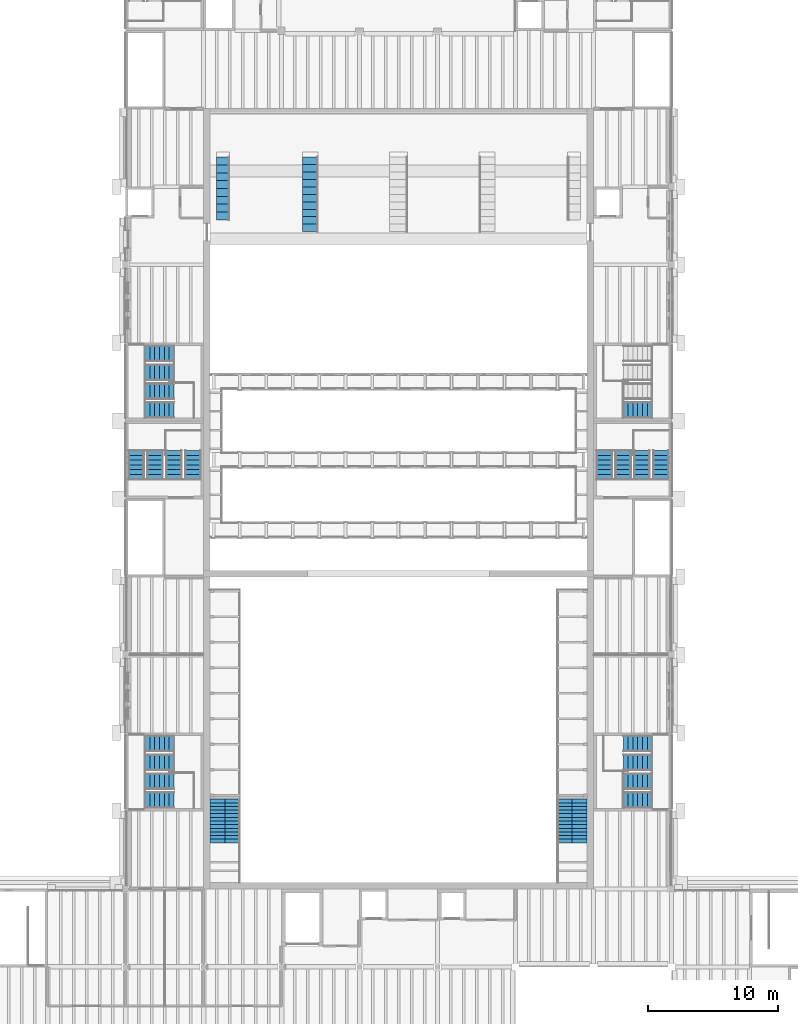
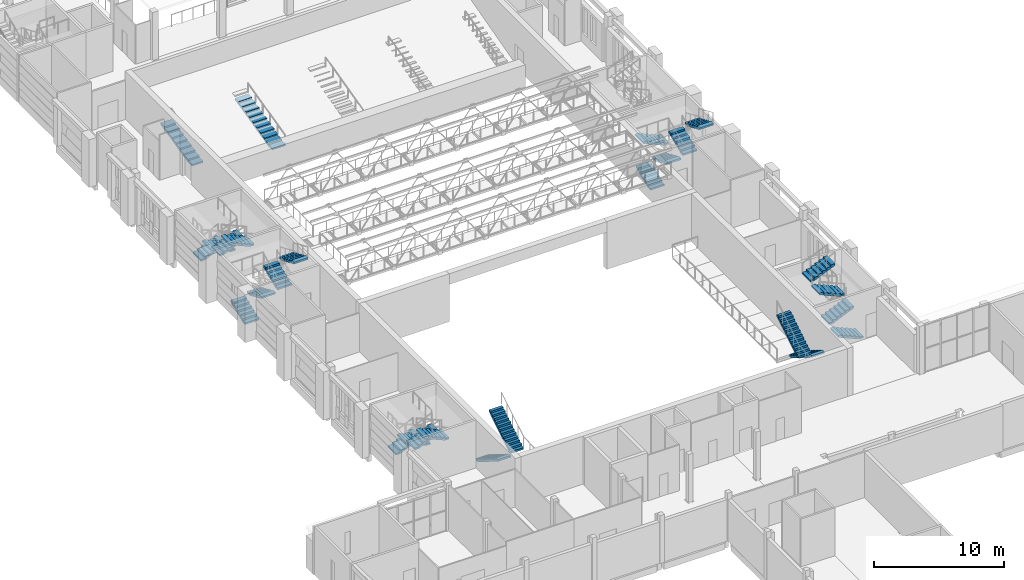
# One storey, part 36 of 70: 27 stair flights, 10 elements without a shape of their own.
"""IFC4 building model written with IfcOpenShell, lengths in metres."""

from ifc_helpers import new_model, si_unit, direction, frame, origin, place, context, subcontext, project, spatial, polyline, outline, extrude, material, type_object, element, aggregate, save


model = new_model("IFC4")

# Units and contexts
model_context = context("Model", 3, precision=1e-05, world=origin(), true_north=direction((0.0, 1.0)))
body_context = subcontext(model_context, "Body", "Model", "MODEL_VIEW")
ifc_project = project(units=[si_unit("LENGTHUNIT", "METRE"), si_unit("AREAUNIT", "SQUARE_METRE"), si_unit("VOLUMEUNIT", "CUBIC_METRE"), si_unit("PLANEANGLEUNIT", "RADIAN"), si_unit("MASSUNIT", "GRAM", prefix="KILO")], contexts=[model_context])

# Site, building, storey
site_placement = place(None, origin())
site = spatial("IfcSite", under=ifc_project, at=site_placement, CompositionType="ELEMENT")
building_placement = place(site_placement, origin())
building = spatial("IfcBuilding", under=site, at=building_placement, Name="Saffron Lane Theatres", CompositionType="ELEMENT")
storey_placement = place(building_placement, frame((0.0, 0.0, 12.0)))
storey = spatial("IfcBuildingStorey", under=building, at=storey_placement, Name="L02", CompositionType="ELEMENT", Elevation=12.0)

# Stair, stair flights
ifc_material_1 = material(Name="Steel Grade 350 stair", Category="steel")
stair_type_1 = type_object("IfcStairType", Name="ST-STEEL STAIR", PredefinedType="HALF_TURN_STAIR", material=ifc_material_1)
stair_1_placement = place(storey_placement, origin())
stair_1 = element("IfcStair", 1, at=stair_1_placement, inside=storey, type_object=stair_type_1, Name="STG2", PredefinedType="HALF_TURN_STAIR")
ifc_material_2 = material(Name="Steel Grade 350 stair", Category="steel")
stair_flight_type_1 = type_object("IfcStairFlightType", Name="ST-STEEL STAIR FLIGHT", PredefinedType="STRAIGHT", material=ifc_material_2)
stair_flight_1_placement = place(storey_placement, frame((19.074951171875, 36.89990234375, 0.0), z_axis=(0.0, 0.0, 1.0), x_axis=(0.0, -1.0, 0.0)))
stair_flight_1 = element("IfcStairFlight", 2, at=stair_flight_1_placement, type_object=stair_flight_type_1, Name="STG2 flight 1", NumberOfRisers=13, NumberOfTreads=12, PredefinedType="STRAIGHT", RiserHeight=0.173077, TreadLength=0.28, context=body_context, shape_type="SweptSolid", body=[
    extrude(outline(polyline([(0.0, 0.0), (0.0, 0.173095703125), (0.280029296875, 0.173095703125), (0.280029296875, 0.34619140625), (0.56005859375, 0.34619140625), (0.56005859375, 0.519287109375), (0.840087890625, 0.519287109375), (0.840087890625, 0.6923828125), (1.1201171875, 0.6923828125), (1.1201171875, 0.865478515625), (1.39990234375, 0.865478515625), (1.39990234375, 1.03857421875), (1.679931640625, 1.03857421875), (1.679931640625, 1.21142578125), (1.9599609375, 1.21142578125), (1.9599609375, 1.384521484375), (2.239990234375, 1.384521484375), (2.239990234375, 1.5576171875), (2.52001953125, 1.5576171875), (2.52001953125, 1.730712890625), (2.800048828125, 1.730712890625), (2.800048828125, 1.90380859375), (3.080078125, 1.90380859375), (3.080078125, 2.076904296875), (3.360107421875, 2.076904296875), (3.360107421875, 2.25), (3.360107421875, 1.900634765625), (0.28515625, 0.0), (0.0, 0.0)])), frame((0.0, 0.574951171875, 0.0), z_axis=(0.0, -1.0, 0.0), x_axis=(1.0, 0.0, 0.0)), (0.0, 0.0, 1.0), 1.14990234375),
])
stair_flight_2_placement = place(storey_placement, frame((20.22509765625, 33.5400390625, 2.25), z_axis=(0.0, 0.0, 1.0), x_axis=(0.0, 1.0, 0.0)))
stair_flight_2 = element("IfcStairFlight", 3, at=stair_flight_2_placement, type_object=stair_flight_type_1, Name="STG2 flight 2", NumberOfRisers=13, NumberOfTreads=12, PredefinedType="STRAIGHT", RiserHeight=0.173077, TreadLength=0.28, context=body_context, shape_type="SweptSolid", body=[
    extrude(outline(polyline([(0.0, 0.0), (0.0, 0.173095703125), (0.280029296875, 0.173095703125), (0.280029296875, 0.34619140625), (0.56005859375, 0.34619140625), (0.56005859375, 0.519287109375), (0.840087890625, 0.519287109375), (0.840087890625, 0.6923828125), (1.1201171875, 0.6923828125), (1.1201171875, 0.865478515625), (1.39990234375, 0.865478515625), (1.39990234375, 1.03857421875), (1.679931640625, 1.03857421875), (1.679931640625, 1.21142578125), (1.9599609375, 1.21142578125), (1.9599609375, 1.384521484375), (2.239990234375, 1.384521484375), (2.239990234375, 1.5576171875), (2.52001953125, 1.5576171875), (2.52001953125, 1.730712890625), (2.800048828125, 1.730712890625), (2.800048828125, 1.90380859375), (3.080078125, 1.90380859375), (3.080078125, 2.076904296875), (3.360107421875, 2.076904296875), (3.360107421875, 2.25), (3.360107421875, 1.900634765625), (0.28515625, 0.0), (0.0, 0.0)])), frame((0.0, 0.574951171875, 0.0), z_axis=(0.0, -1.0, 0.0), x_axis=(1.0, 0.0, 0.0)), (0.0, 0.0, 1.0), 1.14990234375),
])
aggregate(stair_1, [stair_flight_1, stair_flight_2])

stair_2_placement = place(storey_placement, origin())
stair_2 = element("IfcStair", 4, at=stair_2_placement, inside=storey, type_object=stair_type_1, Name="STG5", PredefinedType="HALF_TURN_STAIR")
stair_flight_3_placement = place(storey_placement, frame((46.925048828125, 36.89990234375, 0.0), z_axis=(0.0, 0.0, 1.0), x_axis=(0.0, -1.0, 0.0)))
stair_flight_3 = element("IfcStairFlight", 5, at=stair_flight_3_placement, type_object=stair_flight_type_1, Name="STG5 flight 1", NumberOfRisers=13, NumberOfTreads=12, PredefinedType="STRAIGHT", RiserHeight=0.173077, TreadLength=0.28, context=body_context, shape_type="SweptSolid", body=[
    extrude(outline(polyline([(0.0, 0.0), (0.0, 0.173095703125), (0.280029296875, 0.173095703125), (0.280029296875, 0.34619140625), (0.56005859375, 0.34619140625), (0.56005859375, 0.519287109375), (0.840087890625, 0.519287109375), (0.840087890625, 0.6923828125), (1.1201171875, 0.6923828125), (1.1201171875, 0.865478515625), (1.39990234375, 0.865478515625), (1.39990234375, 1.03857421875), (1.679931640625, 1.03857421875), (1.679931640625, 1.21142578125), (1.9599609375, 1.21142578125), (1.9599609375, 1.384521484375), (2.239990234375, 1.384521484375), (2.239990234375, 1.5576171875), (2.52001953125, 1.5576171875), (2.52001953125, 1.730712890625), (2.800048828125, 1.730712890625), (2.800048828125, 1.90380859375), (3.080078125, 1.90380859375), (3.080078125, 2.076904296875), (3.360107421875, 2.076904296875), (3.360107421875, 2.25), (3.360107421875, 1.900634765625), (0.28515625, 0.0), (0.0, 0.0)])), frame((0.0, 0.574951171875, 0.0), z_axis=(0.0, -1.0, 0.0), x_axis=(1.0, 0.0, 0.0)), (0.0, 0.0, 1.0), 1.14990234375),
])
stair_flight_4_placement = place(storey_placement, frame((45.77490234375, 33.5400390625, 2.25), z_axis=(0.0, 0.0, 1.0), x_axis=(0.0, 1.0, 0.0)))
stair_flight_4 = element("IfcStairFlight", 6, at=stair_flight_4_placement, type_object=stair_flight_type_1, Name="STG5 flight 2", NumberOfRisers=13, NumberOfTreads=12, PredefinedType="STRAIGHT", RiserHeight=0.173077, TreadLength=0.28, context=body_context, shape_type="SweptSolid", body=[
    extrude(outline(polyline([(0.0, 0.0), (0.0, 0.173095703125), (0.280029296875, 0.173095703125), (0.280029296875, 0.34619140625), (0.56005859375, 0.34619140625), (0.56005859375, 0.519287109375), (0.840087890625, 0.519287109375), (0.840087890625, 0.6923828125), (1.1201171875, 0.6923828125), (1.1201171875, 0.865478515625), (1.39990234375, 0.865478515625), (1.39990234375, 1.03857421875), (1.679931640625, 1.03857421875), (1.679931640625, 1.21142578125), (1.9599609375, 1.21142578125), (1.9599609375, 1.384521484375), (2.239990234375, 1.384521484375), (2.239990234375, 1.5576171875), (2.52001953125, 1.5576171875), (2.52001953125, 1.730712890625), (2.800048828125, 1.730712890625), (2.800048828125, 1.90380859375), (3.080078125, 1.90380859375), (3.080078125, 2.076904296875), (3.360107421875, 2.076904296875), (3.360107421875, 2.25), (3.360107421875, 1.900634765625), (0.28515625, 0.0), (0.0, 0.0)])), frame((0.0, 0.574951171875, 0.0), z_axis=(0.0, -1.0, 0.0), x_axis=(1.0, 0.0, 0.0)), (0.0, 0.0, 1.0), 1.14990234375),
])
aggregate(stair_2, [stair_flight_3, stair_flight_4])

# Stair, stair flight
ifc_material_3 = material(Name="Concrete N40 (40 MPa)", Category="concrete")
stair_type_2 = type_object("IfcStairType", Name="VC-STAIR AISLE", PredefinedType="STRAIGHT_RUN_STAIR", material=ifc_material_3)
stair_3_placement = place(storey_placement, origin())
stair_3 = element("IfcStair", 7, at=stair_3_placement, inside=storey, type_object=stair_type_2, Name="Dress Circle aisle 1", PredefinedType="STRAIGHT_RUN_STAIR")
ifc_material_4 = material(Name="Concrete N40 (40 MPa)", Category="concrete")
stair_flight_type_2 = type_object("IfcStairFlightType", Name="VC-FLIGHT 1000", PredefinedType="STRAIGHT", material=ifc_material_4)
stair_flight_5_placement = place(storey_placement, frame((19.5, 81.449951171875, 0.3916015625), z_axis=(0.0, 0.0, 1.0), x_axis=(0.0, 1.0, 0.0)))
stair_flight_5 = element("IfcStairFlight", 8, at=stair_flight_5_placement, type_object=stair_flight_type_2, Name="Dress Circle aisle 1 flight", NumberOfRisers=9, NumberOfTreads=8, PredefinedType="STRAIGHT", RiserHeight=0.14484, TreadLength=0.6035, context=body_context, shape_type="SweptSolid", body=[
    extrude(outline(polyline([(0.0, 0.0), (0.0, 0.144775390625), (0.603515625, 0.144775390625), (0.603515625, 0.289794921875), (1.20703125, 0.289794921875), (1.20703125, 0.4345703125), (1.810546875, 0.4345703125), (1.810546875, 0.579345703125), (2.4140625, 0.579345703125), (2.4140625, 0.72412109375), (3.017578125, 0.72412109375), (3.017578125, 0.869140625), (3.62109375, 0.869140625), (3.62109375, 1.013916015625), (4.224609375, 1.013916015625), (4.224609375, 1.15869140625), (4.827880859375, 1.15869140625), (4.827880859375, 1.303466796875), (4.827880859375, 1.004638671875), (0.642333984375, 0.0), (0.0, 0.0)])), frame((0.0, 0.5, 0.0), z_axis=(0.0, -1.0, 0.0), x_axis=(1.0, 0.0, 0.0)), (0.0, 0.0, 1.0), 1.0),
])
aggregate(stair_3, [stair_flight_5])

stair_4_placement = place(storey_placement, origin())
stair_4 = element("IfcStair", 9, at=stair_4_placement, inside=storey, type_object=stair_type_2, Name="Dress Circle aisle 2", PredefinedType="STRAIGHT_RUN_STAIR")
ifc_material_5 = material(Name="Concrete N40 (40 MPa)", Category="concrete")
stair_flight_type_3 = type_object("IfcStairFlightType", Name="VC-FLIGHT 1200", PredefinedType="STRAIGHT", material=ifc_material_5)
stair_flight_6_placement = place(storey_placement, frame((26.199951171875, 80.550048828125, 0.1484375), z_axis=(0.0, 0.0, 1.0), x_axis=(0.0, 1.0, 0.0)))
stair_flight_6 = element("IfcStairFlight", 10, at=stair_flight_6_placement, type_object=stair_flight_type_3, Name="Dress Circle aisle 2 flight", NumberOfRisers=11, NumberOfTreads=10, PredefinedType="STRAIGHT", RiserHeight=0.140596364, TreadLength=0.5728, context=body_context, shape_type="SweptSolid", body=[
    extrude(outline(polyline([(0.0, 0.0), (0.0, 0.140625), (0.57275390625, 0.140625), (0.57275390625, 0.28125), (1.1455078125, 0.28125), (1.1455078125, 0.421875), (1.718505859375, 0.421875), (1.718505859375, 0.5625), (2.291259765625, 0.5625), (2.291259765625, 0.702880859375), (2.864013671875, 0.702880859375), (2.864013671875, 0.843505859375), (3.436767578125, 0.843505859375), (3.436767578125, 0.984130859375), (4.009521484375, 0.984130859375), (4.009521484375, 1.124755859375), (4.58251953125, 1.124755859375), (4.58251953125, 1.265380859375), (5.1552734375, 1.265380859375), (5.1552734375, 1.406005859375), (5.72802734375, 1.406005859375), (5.72802734375, 1.546630859375), (5.72802734375, 1.251708984375), (0.62890625, 0.0), (0.0, 0.0)])), frame((0.0, 0.60009765625, 0.0), z_axis=(0.0, -1.0, 0.0), x_axis=(1.0, 0.0, 0.0)), (0.0, 0.0, 1.0), 1.199951171875),
])
aggregate(stair_4, [stair_flight_6])

# Stair, stair flights
ifc_material_6 = material(Name="Concrete N40 (40 MPa)", Category="concrete")
stair_type_3 = type_object("IfcStairType", Name="VC-STAIR EXIT", PredefinedType="TWO_STRAIGHT_RUN_STAIR", material=ifc_material_6)
stair_5_placement = place(storey_placement, origin())
stair_5 = element("IfcStair", 11, at=stair_5_placement, inside=storey, type_object=stair_type_3, Name="Auditorium West Rear Stair L02 to L03", PredefinedType="TWO_STRAIGHT_RUN_STAIR")
ifc_material_7 = material(Name="Concrete N40 (40 MPa)", Category="concrete")
stair_flight_type_4 = type_object("IfcStairFlightType", Name="VC-FLIGHT 1250", PredefinedType="STRAIGHT", material=ifc_material_7)
stair_flight_7_placement = place(storey_placement, frame((13.5, 71.175048828125, 0.0), z_axis=(0.0, 0.0, 1.0), x_axis=(1.0, 0.0, 0.0)))
stair_flight_7 = element("IfcStairFlight", 12, at=stair_flight_7_placement, type_object=stair_flight_type_4, Name="Auditorium West Rear Stair flight 3.1", NumberOfRisers=7, NumberOfTreads=6, PredefinedType="STRAIGHT", RiserHeight=0.160714286, TreadLength=0.37, context=body_context, shape_type="SweptSolid", body=[
    extrude(outline(polyline([(0.0, 0.0), (0.0, 0.16064453125), (0.3701171875, 0.16064453125), (0.3701171875, 0.321533203125), (0.739990234375, 0.321533203125), (0.739990234375, 0.482177734375), (1.110107421875, 0.482177734375), (1.110107421875, 0.642822265625), (1.47998046875, 0.642822265625), (1.47998046875, 0.803466796875), (1.85009765625, 0.803466796875), (1.85009765625, 0.96435546875), (2.219970703125, 0.96435546875), (2.219970703125, 1.125), (2.219970703125, 0.80078125), (0.376220703125, 0.0), (0.0, 0.0)])), frame((0.0, 0.625, 0.0), z_axis=(0.0, -1.0, 0.0), x_axis=(1.0, 0.0, 0.0)), (0.0, 0.0, 1.0), 1.25),
])
stair_flight_8_placement = place(storey_placement, frame((15.719970703125, 69.72509765625, 1.125), z_axis=(0.0, 0.0, 1.0), x_axis=(-1.0, 0.0, 0.0)))
stair_flight_8 = element("IfcStairFlight", 13, at=stair_flight_8_placement, type_object=stair_flight_type_4, Name="Auditorium West Rear Stair flight 3.2", NumberOfRisers=7, NumberOfTreads=6, PredefinedType="STRAIGHT", RiserHeight=0.160714286, TreadLength=0.37, context=body_context, shape_type="SweptSolid", body=[
    extrude(outline(polyline([(0.0, 0.0), (0.0, 0.16064453125), (0.3701171875, 0.16064453125), (0.3701171875, 0.321533203125), (0.739990234375, 0.321533203125), (0.739990234375, 0.482177734375), (1.110107421875, 0.482177734375), (1.110107421875, 0.642822265625), (1.47998046875, 0.642822265625), (1.47998046875, 0.803466796875), (1.85009765625, 0.803466796875), (1.85009765625, 0.96435546875), (2.219970703125, 0.96435546875), (2.219970703125, 1.125), (2.219970703125, 0.80078125), (0.376220703125, 0.0), (0.0, 0.0)])), frame((0.0, 0.625, 0.0), z_axis=(0.0, -1.0, 0.0), x_axis=(1.0, 0.0, 0.0)), (0.0, 0.0, 1.0), 1.25),
])
stair_flight_9_placement = place(storey_placement, frame((13.5, 68.27490234375, 2.25), z_axis=(0.0, 0.0, 1.0), x_axis=(1.0, 0.0, 0.0)))
stair_flight_9 = element("IfcStairFlight", 14, at=stair_flight_9_placement, type_object=stair_flight_type_4, Name="Auditorium West Rear Stair flight 3.3", NumberOfRisers=7, NumberOfTreads=6, PredefinedType="STRAIGHT", RiserHeight=0.160714286, TreadLength=0.37, context=body_context, shape_type="SweptSolid", body=[
    extrude(outline(polyline([(0.0, 0.0), (0.0, 0.16064453125), (0.3701171875, 0.16064453125), (0.3701171875, 0.321533203125), (0.739990234375, 0.321533203125), (0.739990234375, 0.482177734375), (1.110107421875, 0.482177734375), (1.110107421875, 0.642822265625), (1.47998046875, 0.642822265625), (1.47998046875, 0.803466796875), (1.85009765625, 0.803466796875), (1.85009765625, 0.96435546875), (2.219970703125, 0.96435546875), (2.219970703125, 1.125), (2.219970703125, 0.80078125), (0.376220703125, 0.0), (0.0, 0.0)])), frame((0.0, 0.625, 0.0), z_axis=(0.0, -1.0, 0.0), x_axis=(1.0, 0.0, 0.0)), (0.0, 0.0, 1.0), 1.25),
])
stair_flight_10_placement = place(storey_placement, frame((15.719970703125, 66.824951171875, 3.375), z_axis=(0.0, 0.0, 1.0), x_axis=(-1.0, 0.0, 0.0)))
stair_flight_10 = element("IfcStairFlight", 15, at=stair_flight_10_placement, type_object=stair_flight_type_4, Name="Auditorium West Rear Stair flight 3.4", NumberOfRisers=7, NumberOfTreads=6, PredefinedType="STRAIGHT", RiserHeight=0.160714286, TreadLength=0.37, context=body_context, shape_type="SweptSolid", body=[
    extrude(outline(polyline([(0.0, 0.0), (0.0, 0.16064453125), (0.3701171875, 0.16064453125), (0.3701171875, 0.321533203125), (0.739990234375, 0.321533203125), (0.739990234375, 0.482177734375), (1.110107421875, 0.482177734375), (1.110107421875, 0.642822265625), (1.47998046875, 0.642822265625), (1.47998046875, 0.803466796875), (1.85009765625, 0.803466796875), (1.85009765625, 0.96435546875), (2.219970703125, 0.96435546875), (2.219970703125, 1.125), (2.219970703125, 0.80078125), (0.376220703125, 0.0), (0.0, 0.0)])), frame((0.0, 0.625, 0.0), z_axis=(0.0, -1.0, 0.0), x_axis=(1.0, 0.0, 0.0)), (0.0, 0.0, 1.0), 1.25),
])
aggregate(stair_5, [stair_flight_7, stair_flight_8, stair_flight_9, stair_flight_10])

# Stair, stair flight
stair_6_placement = place(storey_placement, origin())
stair_6 = element("IfcStair", 16, at=stair_6_placement, inside=storey, type_object=stair_type_3, Name="Auditorium East Rear Stair L02 to L03", PredefinedType="TWO_STRAIGHT_RUN_STAIR")
stair_flight_11_placement = place(storey_placement, frame((52.5, 66.824951171875, 0.0), z_axis=(0.0, 0.0, 1.0), x_axis=(-1.0, 0.0, 0.0)))
stair_flight_11 = element("IfcStairFlight", 17, at=stair_flight_11_placement, type_object=stair_flight_type_4, Name="Auditorium East Rear Stair flight 3.1", NumberOfRisers=7, NumberOfTreads=6, PredefinedType="STRAIGHT", RiserHeight=0.160714286, TreadLength=0.37, context=body_context, shape_type="SweptSolid", body=[
    extrude(outline(polyline([(0.0, 0.0), (0.0, 0.16064453125), (0.3701171875, 0.16064453125), (0.3701171875, 0.321533203125), (0.739990234375, 0.321533203125), (0.739990234375, 0.482177734375), (1.110107421875, 0.482177734375), (1.110107421875, 0.642822265625), (1.47998046875, 0.642822265625), (1.47998046875, 0.803466796875), (1.85009765625, 0.803466796875), (1.85009765625, 0.96435546875), (2.219970703125, 0.96435546875), (2.219970703125, 1.125), (2.219970703125, 0.80078125), (0.376220703125, 0.0), (0.0, 0.0)])), frame((0.0, 0.625, 0.0), z_axis=(0.0, -1.0, 0.0), x_axis=(1.0, 0.0, 0.0)), (0.0, 0.0, 1.0), 1.25),
])
aggregate(stair_6, [stair_flight_11])

# Stair, stair flights
stair_7_placement = place(storey_placement, origin())
stair_7 = element("IfcStair", 18, at=stair_7_placement, inside=storey, type_object=stair_type_3, Name="Auditorium West Front Stair L02 to L03", PredefinedType="TWO_STRAIGHT_RUN_STAIR")
stair_flight_12_placement = place(storey_placement, frame((12.824951171875, 61.5, 0.0), z_axis=(0.0, 0.0, 1.0), x_axis=(0.0, 1.0, 0.0)))
stair_flight_12 = element("IfcStairFlight", 19, at=stair_flight_12_placement, type_object=stair_flight_type_4, Name="Auditorium West Front Stair flight 3.1", NumberOfRisers=7, NumberOfTreads=6, PredefinedType="STRAIGHT", RiserHeight=0.160714286, TreadLength=0.37, context=body_context, shape_type="SweptSolid", body=[
    extrude(outline(polyline([(0.0, 0.0), (0.0, 0.16064453125), (0.3701171875, 0.16064453125), (0.3701171875, 0.321533203125), (0.739990234375, 0.321533203125), (0.739990234375, 0.482177734375), (1.110107421875, 0.482177734375), (1.110107421875, 0.642822265625), (1.47998046875, 0.642822265625), (1.47998046875, 0.803466796875), (1.85009765625, 0.803466796875), (1.85009765625, 0.96435546875), (2.219970703125, 0.96435546875), (2.219970703125, 1.125), (2.219970703125, 0.80078125), (0.376220703125, 0.0), (0.0, 0.0)])), frame((0.0, 0.625, 0.0), z_axis=(0.0, -1.0, 0.0), x_axis=(1.0, 0.0, 0.0)), (0.0, 0.0, 1.0), 1.25),
])
stair_flight_13_placement = place(storey_placement, frame((14.27490234375, 63.719970703125, 1.125), z_axis=(0.0, 0.0, 1.0), x_axis=(0.0, -1.0, 0.0)))
stair_flight_13 = element("IfcStairFlight", 20, at=stair_flight_13_placement, type_object=stair_flight_type_4, Name="Auditorium West Front Stair flight 3.2", NumberOfRisers=7, NumberOfTreads=6, PredefinedType="STRAIGHT", RiserHeight=0.160714286, TreadLength=0.37, context=body_context, shape_type="SweptSolid", body=[
    extrude(outline(polyline([(0.0, 0.0), (0.0, 0.16064453125), (0.3701171875, 0.16064453125), (0.3701171875, 0.321533203125), (0.739990234375, 0.321533203125), (0.739990234375, 0.482177734375), (1.110107421875, 0.482177734375), (1.110107421875, 0.642822265625), (1.47998046875, 0.642822265625), (1.47998046875, 0.803466796875), (1.85009765625, 0.803466796875), (1.85009765625, 0.96435546875), (2.219970703125, 0.96435546875), (2.219970703125, 1.125), (2.219970703125, 0.80078125), (0.376220703125, 0.0), (0.0, 0.0)])), frame((0.0, 0.625, 0.0), z_axis=(0.0, -1.0, 0.0), x_axis=(1.0, 0.0, 0.0)), (0.0, 0.0, 1.0), 1.25),
])
stair_flight_14_placement = place(storey_placement, frame((15.72509765625, 61.5, 2.25), z_axis=(0.0, 0.0, 1.0), x_axis=(0.0, 1.0, 0.0)))
stair_flight_14 = element("IfcStairFlight", 21, at=stair_flight_14_placement, type_object=stair_flight_type_4, Name="Auditorium West Front Stair flight 3.3", NumberOfRisers=7, NumberOfTreads=6, PredefinedType="STRAIGHT", RiserHeight=0.160714286, TreadLength=0.37, context=body_context, shape_type="SweptSolid", body=[
    extrude(outline(polyline([(0.0, 0.0), (0.0, 0.16064453125), (0.3701171875, 0.16064453125), (0.3701171875, 0.321533203125), (0.739990234375, 0.321533203125), (0.739990234375, 0.482177734375), (1.110107421875, 0.482177734375), (1.110107421875, 0.642822265625), (1.47998046875, 0.642822265625), (1.47998046875, 0.803466796875), (1.85009765625, 0.803466796875), (1.85009765625, 0.96435546875), (2.219970703125, 0.96435546875), (2.219970703125, 1.125), (2.219970703125, 0.80078125), (0.376220703125, 0.0), (0.0, 0.0)])), frame((0.0, 0.625, 0.0), z_axis=(0.0, -1.0, 0.0), x_axis=(1.0, 0.0, 0.0)), (0.0, 0.0, 1.0), 1.25),
])
stair_flight_15_placement = place(storey_placement, frame((17.175048828125, 63.719970703125, 3.375), z_axis=(0.0, 0.0, 1.0), x_axis=(0.0, -1.0, 0.0)))
stair_flight_15 = element("IfcStairFlight", 22, at=stair_flight_15_placement, type_object=stair_flight_type_4, Name="Auditorium West Front Stair flight 3.4", NumberOfRisers=7, NumberOfTreads=6, PredefinedType="STRAIGHT", RiserHeight=0.160714286, TreadLength=0.37, context=body_context, shape_type="SweptSolid", body=[
    extrude(outline(polyline([(0.0, 0.0), (0.0, 0.16064453125), (0.3701171875, 0.16064453125), (0.3701171875, 0.321533203125), (0.739990234375, 0.321533203125), (0.739990234375, 0.482177734375), (1.110107421875, 0.482177734375), (1.110107421875, 0.642822265625), (1.47998046875, 0.642822265625), (1.47998046875, 0.803466796875), (1.85009765625, 0.803466796875), (1.85009765625, 0.96435546875), (2.219970703125, 0.96435546875), (2.219970703125, 1.125), (2.219970703125, 0.80078125), (0.376220703125, 0.0), (0.0, 0.0)])), frame((0.0, 0.625, 0.0), z_axis=(0.0, -1.0, 0.0), x_axis=(1.0, 0.0, 0.0)), (0.0, 0.0, 1.0), 1.25),
])
aggregate(stair_7, [stair_flight_12, stair_flight_13, stair_flight_14, stair_flight_15])

stair_8_placement = place(storey_placement, origin())
stair_8 = element("IfcStair", 23, at=stair_8_placement, inside=storey, type_object=stair_type_3, Name="Auditorium East Front Stair L02 to L03", PredefinedType="TWO_STRAIGHT_RUN_STAIR")
stair_flight_16_placement = place(storey_placement, frame((48.824951171875, 61.5, 0.0), z_axis=(0.0, 0.0, 1.0), x_axis=(0.0, 1.0, 0.0)))
stair_flight_16 = element("IfcStairFlight", 24, at=stair_flight_16_placement, type_object=stair_flight_type_4, Name="Auditorium East Front Stair flight 3.1", NumberOfRisers=7, NumberOfTreads=6, PredefinedType="STRAIGHT", RiserHeight=0.160714286, TreadLength=0.37, context=body_context, shape_type="SweptSolid", body=[
    extrude(outline(polyline([(0.0, 0.0), (0.0, 0.16064453125), (0.3701171875, 0.16064453125), (0.3701171875, 0.321533203125), (0.739990234375, 0.321533203125), (0.739990234375, 0.482177734375), (1.110107421875, 0.482177734375), (1.110107421875, 0.642822265625), (1.47998046875, 0.642822265625), (1.47998046875, 0.803466796875), (1.85009765625, 0.803466796875), (1.85009765625, 0.96435546875), (2.219970703125, 0.96435546875), (2.219970703125, 1.125), (2.219970703125, 0.80078125), (0.376220703125, 0.0), (0.0, 0.0)])), frame((0.0, 0.625, 0.0), z_axis=(0.0, -1.0, 0.0), x_axis=(1.0, 0.0, 0.0)), (0.0, 0.0, 1.0), 1.25),
])
stair_flight_17_placement = place(storey_placement, frame((50.27490234375, 63.719970703125, 1.125), z_axis=(0.0, 0.0, 1.0), x_axis=(0.0, -1.0, 0.0)))
stair_flight_17 = element("IfcStairFlight", 25, at=stair_flight_17_placement, type_object=stair_flight_type_4, Name="Auditorium East Front Stair flight 3.2", NumberOfRisers=7, NumberOfTreads=6, PredefinedType="STRAIGHT", RiserHeight=0.160714286, TreadLength=0.37, context=body_context, shape_type="SweptSolid", body=[
    extrude(outline(polyline([(0.0, 0.0), (0.0, 0.16064453125), (0.3701171875, 0.16064453125), (0.3701171875, 0.321533203125), (0.739990234375, 0.321533203125), (0.739990234375, 0.482177734375), (1.110107421875, 0.482177734375), (1.110107421875, 0.642822265625), (1.47998046875, 0.642822265625), (1.47998046875, 0.803466796875), (1.85009765625, 0.803466796875), (1.85009765625, 0.96435546875), (2.219970703125, 0.96435546875), (2.219970703125, 1.125), (2.219970703125, 0.80078125), (0.376220703125, 0.0), (0.0, 0.0)])), frame((0.0, 0.625, 0.0), z_axis=(0.0, -1.0, 0.0), x_axis=(1.0, 0.0, 0.0)), (0.0, 0.0, 1.0), 1.25),
])
stair_flight_18_placement = place(storey_placement, frame((51.72509765625, 61.5, 2.25), z_axis=(0.0, 0.0, 1.0), x_axis=(0.0, 1.0, 0.0)))
stair_flight_18 = element("IfcStairFlight", 26, at=stair_flight_18_placement, type_object=stair_flight_type_4, Name="Auditorium East Front Stair flight 3.3", NumberOfRisers=7, NumberOfTreads=6, PredefinedType="STRAIGHT", RiserHeight=0.160714286, TreadLength=0.37, context=body_context, shape_type="SweptSolid", body=[
    extrude(outline(polyline([(0.0, 0.0), (0.0, 0.16064453125), (0.3701171875, 0.16064453125), (0.3701171875, 0.321533203125), (0.739990234375, 0.321533203125), (0.739990234375, 0.482177734375), (1.110107421875, 0.482177734375), (1.110107421875, 0.642822265625), (1.47998046875, 0.642822265625), (1.47998046875, 0.803466796875), (1.85009765625, 0.803466796875), (1.85009765625, 0.96435546875), (2.219970703125, 0.96435546875), (2.219970703125, 1.125), (2.219970703125, 0.80078125), (0.376220703125, 0.0), (0.0, 0.0)])), frame((0.0, 0.625, 0.0), z_axis=(0.0, -1.0, 0.0), x_axis=(1.0, 0.0, 0.0)), (0.0, 0.0, 1.0), 1.25),
])
stair_flight_19_placement = place(storey_placement, frame((53.175048828125, 63.719970703125, 3.375), z_axis=(0.0, 0.0, 1.0), x_axis=(0.0, -1.0, 0.0)))
stair_flight_19 = element("IfcStairFlight", 27, at=stair_flight_19_placement, type_object=stair_flight_type_4, Name="Auditorium East Front Stair flight 3.4", NumberOfRisers=7, NumberOfTreads=6, PredefinedType="STRAIGHT", RiserHeight=0.160714286, TreadLength=0.37, context=body_context, shape_type="SweptSolid", body=[
    extrude(outline(polyline([(0.0, 0.0), (0.0, 0.16064453125), (0.3701171875, 0.16064453125), (0.3701171875, 0.321533203125), (0.739990234375, 0.321533203125), (0.739990234375, 0.482177734375), (1.110107421875, 0.482177734375), (1.110107421875, 0.642822265625), (1.47998046875, 0.642822265625), (1.47998046875, 0.803466796875), (1.85009765625, 0.803466796875), (1.85009765625, 0.96435546875), (2.219970703125, 0.96435546875), (2.219970703125, 1.125), (2.219970703125, 0.80078125), (0.376220703125, 0.0), (0.0, 0.0)])), frame((0.0, 0.625, 0.0), z_axis=(0.0, -1.0, 0.0), x_axis=(1.0, 0.0, 0.0)), (0.0, 0.0, 1.0), 1.25),
])
aggregate(stair_8, [stair_flight_16, stair_flight_17, stair_flight_18, stair_flight_19])

stair_9_placement = place(storey_placement, origin())
stair_9 = element("IfcStair", 28, at=stair_9_placement, inside=storey, type_object=stair_type_3, Name="Stage West Stair L02 to L03", PredefinedType="TWO_STRAIGHT_RUN_STAIR")
stair_flight_20_placement = place(storey_placement, frame((13.5, 41.175048828125, 0.0), z_axis=(0.0, 0.0, 1.0), x_axis=(1.0, 0.0, 0.0)))
stair_flight_20 = element("IfcStairFlight", 29, at=stair_flight_20_placement, type_object=stair_flight_type_4, Name="Stage West Stair flight 3.1", NumberOfRisers=7, NumberOfTreads=6, PredefinedType="STRAIGHT", RiserHeight=0.160714286, TreadLength=0.37, context=body_context, shape_type="SweptSolid", body=[
    extrude(outline(polyline([(0.0, 0.0), (0.0, 0.16064453125), (0.3701171875, 0.16064453125), (0.3701171875, 0.321533203125), (0.739990234375, 0.321533203125), (0.739990234375, 0.482177734375), (1.110107421875, 0.482177734375), (1.110107421875, 0.642822265625), (1.47998046875, 0.642822265625), (1.47998046875, 0.803466796875), (1.85009765625, 0.803466796875), (1.85009765625, 0.96435546875), (2.219970703125, 0.96435546875), (2.219970703125, 1.125), (2.219970703125, 0.80078125), (0.376220703125, 0.0), (0.0, 0.0)])), frame((0.0, 0.625, 0.0), z_axis=(0.0, -1.0, 0.0), x_axis=(1.0, 0.0, 0.0)), (0.0, 0.0, 1.0), 1.25),
])
stair_flight_21_placement = place(storey_placement, frame((15.719970703125, 39.72509765625, 1.125), z_axis=(0.0, 0.0, 1.0), x_axis=(-1.0, 0.0, 0.0)))
stair_flight_21 = element("IfcStairFlight", 30, at=stair_flight_21_placement, type_object=stair_flight_type_4, Name="Stage West Stair flight 3.2", NumberOfRisers=7, NumberOfTreads=6, PredefinedType="STRAIGHT", RiserHeight=0.160714286, TreadLength=0.37, context=body_context, shape_type="SweptSolid", body=[
    extrude(outline(polyline([(0.0, 0.0), (0.0, 0.16064453125), (0.3701171875, 0.16064453125), (0.3701171875, 0.321533203125), (0.739990234375, 0.321533203125), (0.739990234375, 0.482177734375), (1.110107421875, 0.482177734375), (1.110107421875, 0.642822265625), (1.47998046875, 0.642822265625), (1.47998046875, 0.803466796875), (1.85009765625, 0.803466796875), (1.85009765625, 0.96435546875), (2.219970703125, 0.96435546875), (2.219970703125, 1.125), (2.219970703125, 0.80078125), (0.376220703125, 0.0), (0.0, 0.0)])), frame((0.0, 0.625, 0.0), z_axis=(0.0, -1.0, 0.0), x_axis=(1.0, 0.0, 0.0)), (0.0, 0.0, 1.0), 1.25),
])
stair_flight_22_placement = place(storey_placement, frame((13.5, 38.27490234375, 2.25), z_axis=(0.0, 0.0, 1.0), x_axis=(1.0, 0.0, 0.0)))
stair_flight_22 = element("IfcStairFlight", 31, at=stair_flight_22_placement, type_object=stair_flight_type_4, Name="Stage West Stair flight 3.3", NumberOfRisers=7, NumberOfTreads=6, PredefinedType="STRAIGHT", RiserHeight=0.160714286, TreadLength=0.37, context=body_context, shape_type="SweptSolid", body=[
    extrude(outline(polyline([(0.0, 0.0), (0.0, 0.16064453125), (0.3701171875, 0.16064453125), (0.3701171875, 0.321533203125), (0.739990234375, 0.321533203125), (0.739990234375, 0.482177734375), (1.110107421875, 0.482177734375), (1.110107421875, 0.642822265625), (1.47998046875, 0.642822265625), (1.47998046875, 0.803466796875), (1.85009765625, 0.803466796875), (1.85009765625, 0.96435546875), (2.219970703125, 0.96435546875), (2.219970703125, 1.125), (2.219970703125, 0.80078125), (0.376220703125, 0.0), (0.0, 0.0)])), frame((0.0, 0.625, 0.0), z_axis=(0.0, -1.0, 0.0), x_axis=(1.0, 0.0, 0.0)), (0.0, 0.0, 1.0), 1.25),
])
stair_flight_23_placement = place(storey_placement, frame((15.719970703125, 36.824951171875, 3.375), z_axis=(0.0, 0.0, 1.0), x_axis=(-1.0, 0.0, 0.0)))
stair_flight_23 = element("IfcStairFlight", 32, at=stair_flight_23_placement, type_object=stair_flight_type_4, Name="Stage West Stair flight 3.4", NumberOfRisers=7, NumberOfTreads=6, PredefinedType="STRAIGHT", RiserHeight=0.160714286, TreadLength=0.37, context=body_context, shape_type="SweptSolid", body=[
    extrude(outline(polyline([(0.0, 0.0), (0.0, 0.16064453125), (0.3701171875, 0.16064453125), (0.3701171875, 0.321533203125), (0.739990234375, 0.321533203125), (0.739990234375, 0.482177734375), (1.110107421875, 0.482177734375), (1.110107421875, 0.642822265625), (1.47998046875, 0.642822265625), (1.47998046875, 0.803466796875), (1.85009765625, 0.803466796875), (1.85009765625, 0.96435546875), (2.219970703125, 0.96435546875), (2.219970703125, 1.125), (2.219970703125, 0.80078125), (0.376220703125, 0.0), (0.0, 0.0)])), frame((0.0, 0.625, 0.0), z_axis=(0.0, -1.0, 0.0), x_axis=(1.0, 0.0, 0.0)), (0.0, 0.0, 1.0), 1.25),
])
aggregate(stair_9, [stair_flight_20, stair_flight_21, stair_flight_22, stair_flight_23])

stair_10_placement = place(storey_placement, origin())
stair_10 = element("IfcStair", 33, at=stair_10_placement, inside=storey, type_object=stair_type_3, Name="Stage East Stair L02 to L03", PredefinedType="TWO_STRAIGHT_RUN_STAIR")
stair_flight_24_placement = place(storey_placement, frame((52.5, 36.824951171875, 0.0), z_axis=(0.0, 0.0, 1.0), x_axis=(-1.0, 0.0, 0.0)))
stair_flight_24 = element("IfcStairFlight", 34, at=stair_flight_24_placement, type_object=stair_flight_type_4, Name="Stage East Stair flight 3.1", NumberOfRisers=7, NumberOfTreads=6, PredefinedType="STRAIGHT", RiserHeight=0.160714286, TreadLength=0.37, context=body_context, shape_type="SweptSolid", body=[
    extrude(outline(polyline([(0.0, 0.0), (0.0, 0.16064453125), (0.3701171875, 0.16064453125), (0.3701171875, 0.321533203125), (0.739990234375, 0.321533203125), (0.739990234375, 0.482177734375), (1.110107421875, 0.482177734375), (1.110107421875, 0.642822265625), (1.47998046875, 0.642822265625), (1.47998046875, 0.803466796875), (1.85009765625, 0.803466796875), (1.85009765625, 0.96435546875), (2.219970703125, 0.96435546875), (2.219970703125, 1.125), (2.219970703125, 0.80078125), (0.376220703125, 0.0), (0.0, 0.0)])), frame((0.0, 0.625, 0.0), z_axis=(0.0, -1.0, 0.0), x_axis=(1.0, 0.0, 0.0)), (0.0, 0.0, 1.0), 1.25),
])
stair_flight_25_placement = place(storey_placement, frame((50.280029296875, 38.27490234375, 1.125), z_axis=(0.0, 0.0, 1.0), x_axis=(1.0, 0.0, 0.0)))
stair_flight_25 = element("IfcStairFlight", 35, at=stair_flight_25_placement, type_object=stair_flight_type_4, Name="Stage East Stair flight 3.2", NumberOfRisers=7, NumberOfTreads=6, PredefinedType="STRAIGHT", RiserHeight=0.160714286, TreadLength=0.37, context=body_context, shape_type="SweptSolid", body=[
    extrude(outline(polyline([(0.0, 0.0), (0.0, 0.16064453125), (0.3701171875, 0.16064453125), (0.3701171875, 0.321533203125), (0.739990234375, 0.321533203125), (0.739990234375, 0.482177734375), (1.110107421875, 0.482177734375), (1.110107421875, 0.642822265625), (1.47998046875, 0.642822265625), (1.47998046875, 0.803466796875), (1.85009765625, 0.803466796875), (1.85009765625, 0.96435546875), (2.219970703125, 0.96435546875), (2.219970703125, 1.125), (2.219970703125, 0.80078125), (0.376220703125, 0.0), (0.0, 0.0)])), frame((0.0, 0.625, 0.0), z_axis=(0.0, -1.0, 0.0), x_axis=(1.0, 0.0, 0.0)), (0.0, 0.0, 1.0), 1.25),
])
stair_flight_26_placement = place(storey_placement, frame((52.5, 39.72509765625, 2.25), z_axis=(0.0, 0.0, 1.0), x_axis=(-1.0, 0.0, 0.0)))
stair_flight_26 = element("IfcStairFlight", 36, at=stair_flight_26_placement, type_object=stair_flight_type_4, Name="Stage East Stair flight 3.3", NumberOfRisers=7, NumberOfTreads=6, PredefinedType="STRAIGHT", RiserHeight=0.160714286, TreadLength=0.37, context=body_context, shape_type="SweptSolid", body=[
    extrude(outline(polyline([(0.0, 0.0), (0.0, 0.16064453125), (0.3701171875, 0.16064453125), (0.3701171875, 0.321533203125), (0.739990234375, 0.321533203125), (0.739990234375, 0.482177734375), (1.110107421875, 0.482177734375), (1.110107421875, 0.642822265625), (1.47998046875, 0.642822265625), (1.47998046875, 0.803466796875), (1.85009765625, 0.803466796875), (1.85009765625, 0.96435546875), (2.219970703125, 0.96435546875), (2.219970703125, 1.125), (2.219970703125, 0.80078125), (0.376220703125, 0.0), (0.0, 0.0)])), frame((0.0, 0.625, 0.0), z_axis=(0.0, -1.0, 0.0), x_axis=(1.0, 0.0, 0.0)), (0.0, 0.0, 1.0), 1.25),
])
stair_flight_27_placement = place(storey_placement, frame((50.280029296875, 41.175048828125, 3.375), z_axis=(0.0, 0.0, 1.0), x_axis=(1.0, 0.0, 0.0)))
stair_flight_27 = element("IfcStairFlight", 37, at=stair_flight_27_placement, type_object=stair_flight_type_4, Name="Stage East Stair flight 3.4", NumberOfRisers=7, NumberOfTreads=6, PredefinedType="STRAIGHT", RiserHeight=0.160714286, TreadLength=0.37, context=body_context, shape_type="SweptSolid", body=[
    extrude(outline(polyline([(0.0, 0.0), (0.0, 0.16064453125), (0.3701171875, 0.16064453125), (0.3701171875, 0.321533203125), (0.739990234375, 0.321533203125), (0.739990234375, 0.482177734375), (1.110107421875, 0.482177734375), (1.110107421875, 0.642822265625), (1.47998046875, 0.642822265625), (1.47998046875, 0.803466796875), (1.85009765625, 0.803466796875), (1.85009765625, 0.96435546875), (2.219970703125, 0.96435546875), (2.219970703125, 1.125), (2.219970703125, 0.80078125), (0.376220703125, 0.0), (0.0, 0.0)])), frame((0.0, 0.625, 0.0), z_axis=(0.0, -1.0, 0.0), x_axis=(1.0, 0.0, 0.0)), (0.0, 0.0, 1.0), 1.25),
])
aggregate(stair_10, [stair_flight_24, stair_flight_25, stair_flight_26, stair_flight_27])

save(model, "model.ifc")
